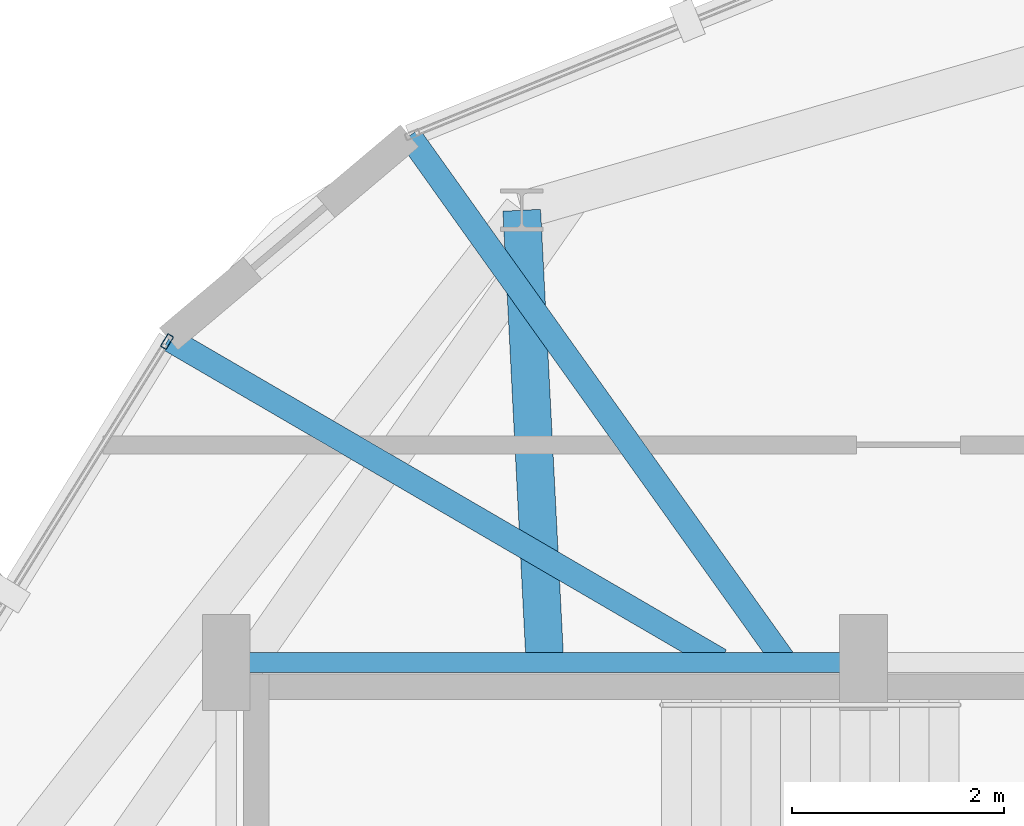
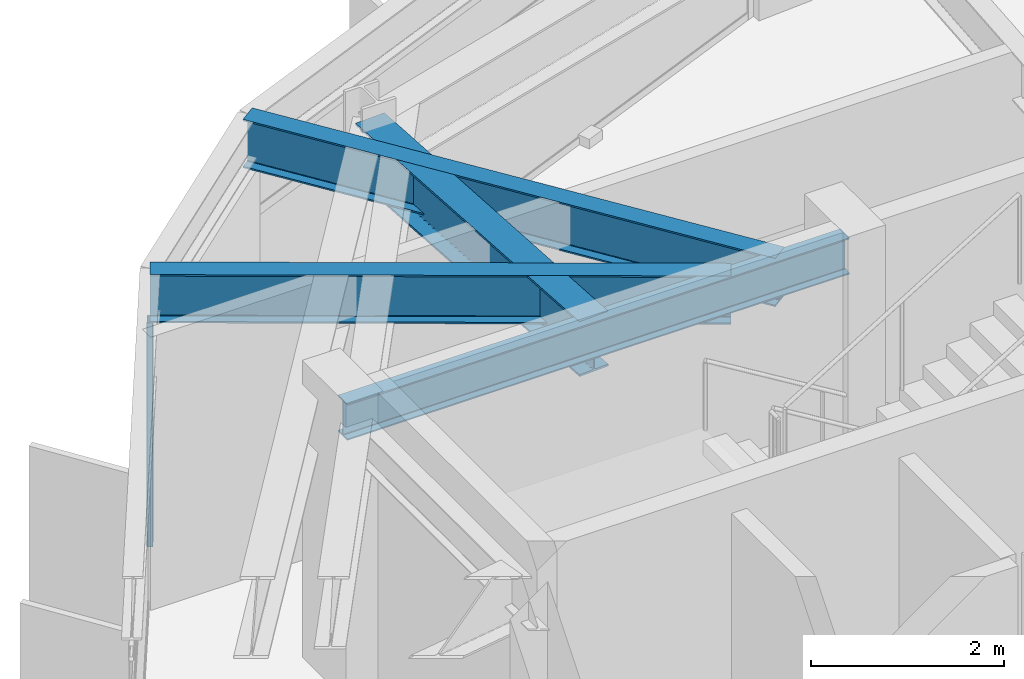
# One storey, part 10 of 26: 4 beams, 1 member, 1 element without a shape of its own.
"""IFC4 building model written with IfcOpenShell, lengths in metres."""

from ifc_helpers import new_model, si_unit, direction, frame, origin, origin_2d, place, context, subcontext, project, spatial, hollow_rectangle, i_section, extrude, material, layer, layer_set, material_profile, profile_set, type_object, element, aggregate, save


model = new_model("IFC4")

# Units and contexts
model_context = context("Model", 3, precision=1e-05, world=origin(), true_north=direction((0.0, 1.0)))
body_context = subcontext(model_context, "Body", "Model", "MODEL_VIEW")
ifc_project = project(units=[si_unit("LENGTHUNIT", "METRE"), si_unit("AREAUNIT", "SQUARE_METRE"), si_unit("VOLUMEUNIT", "CUBIC_METRE"), si_unit("PLANEANGLEUNIT", "RADIAN"), si_unit("MASSUNIT", "GRAM", prefix="KILO")], contexts=[model_context])

# Site, building, storey
site_placement = place(None, origin())
site = spatial("IfcSite", under=ifc_project, at=site_placement, CompositionType="ELEMENT")
building_placement = place(site_placement, origin())
building = spatial("IfcBuilding", under=site, at=building_placement, Name="Soratama Intermodal Tower", CompositionType="ELEMENT")
storey_placement = place(building_placement, frame((0.0, 0.0, 246.25)))
storey = spatial("IfcBuildingStorey", under=building, at=storey_placement, Name="L62", CompositionType="ELEMENT", Elevation=246.25)

# Beams
ifc_material_1 = material(Name="Structural steel ASTM A992 Grade 50", Category="steel")
ifc_material_profile_1 = material_profile(ifc_material_1, i_section(OverallWidth=0.19091796875, OverallDepth=0.4599609375, WebThickness=0.010009765625, FlangeThickness=0.01611328125, FilletRadius=0.010986328125, at=origin_2d()), Name="W18X55")
ifc_profile_set_1 = profile_set([ifc_material_profile_1], Name="Structural steel ASTM A992 Grade 50")
beam_type_1 = type_object("IfcBeamType", Name="BM-FLR-W18X55", PredefinedType="BEAM", material=ifc_profile_set_1)
beam_1_placement = place(storey_placement, frame((38.60009765625, 35.0, 3.219970703125), z_axis=(-1.0, 0.0, 0.0), x_axis=(0.0, -1.0, 0.0)))
element("IfcBeam", 1, at=beam_1_placement, inside=storey, type_object=beam_type_1, Name="BM-L62-CRING-07", PredefinedType="BEAM", context=body_context, shape_type="SweptSolid", body=[
    extrude(i_section(OverallWidth=0.19091796875, OverallDepth=0.4599609375, WebThickness=0.010009765625, FlangeThickness=0.01611328125, FilletRadius=0.010986328125, at=origin_2d()), origin(), (0.0, 0.0, 1.0), 6.0),
])
ifc_material_2 = material(Name="Structural steel ASTM A992 Grade 50", Category="steel")
ifc_material_profile_2 = material_profile(ifc_material_2, i_section(OverallWidth=0.35498046875, OverallDepth=0.695068359375, WebThickness=0.015380859375, FlangeThickness=0.02490234375, FilletRadius=0.01611328125, at=origin_2d()), Name="W27X146")
ifc_profile_set_2 = profile_set([ifc_material_profile_2], Name="Structural steel ASTM A992 Grade 50")
beam_type_2 = type_object("IfcBeamType", Name="BM-RING-W27X146", PredefinedType="BEAM", material=ifc_profile_set_2)
beam_2_placement = place(storey_placement, frame((35.60009765625, 35.0, 3.1025390625), z_axis=(-0.051122516685, 0.998692389221, 0.0), x_axis=(-0.998692389221, -0.051122516685, 0.0)))
element("IfcBeam", 2, at=beam_2_placement, inside=storey, type_object=beam_type_2, Name="BM-L62-RAD-04", PredefinedType="BEAM", context=body_context, shape_type="SweptSolid", body=[
    extrude(i_section(OverallWidth=0.35498046875, OverallDepth=0.695068359375, WebThickness=0.015380859375, FlangeThickness=0.02490234375, FilletRadius=0.01611328125, at=origin_2d()), origin(), (0.0, 0.0, 1.0), 4.2646484375),
])
ifc_material_3 = material(Name="Structural steel ASTM A992 Grade 50", Category="steel")
ifc_material_profile_3 = material_profile(ifc_material_3, i_section(OverallWidth=0.22900390625, OverallDepth=0.612060546875, WebThickness=0.011962890625, FlangeThickness=0.01953125, FilletRadius=0.012939453125, at=origin_2d()), Name="W24X84")
ifc_profile_set_3 = profile_set([ifc_material_profile_3], Name="Structural steel ASTM A992 Grade 50")
beam_type_3 = type_object("IfcBeamType", Name="BM-TIE-W24X84", PredefinedType="BEAM", material=ifc_profile_set_3)
beam_3_placement = place(storey_placement, frame((37.841064453125, 35.032958984375, 3.14404296875), z_axis=(-0.580890940977, 0.813981397018, 0.0), x_axis=(-0.813981397018, -0.580890940977, 0.0)))
element("IfcBeam", 3, at=beam_3_placement, inside=storey, type_object=beam_type_3, Name="BM-L62-TIE1-02", PredefinedType="BEAM", context=body_context, shape_type="SweptSolid", body=[
    extrude(i_section(OverallWidth=0.22900390625, OverallDepth=0.612060546875, WebThickness=0.011962890625, FlangeThickness=0.01953125, FilletRadius=0.012939453125, at=origin_2d()), origin(), (0.0, 0.0, 1.0), 6.052978515625),
])
beam_4_placement = place(storey_placement, frame((37.251953125, 35.02001953125, 3.14404296875), z_axis=(-0.864021795913, 0.503454403286, 0.0), x_axis=(-0.503454403286, -0.864021795913, 0.0)))
element("IfcBeam", 4, at=beam_4_placement, inside=storey, type_object=beam_type_3, Name="BM-L62-TIE0-03", PredefinedType="BEAM", context=body_context, shape_type="SweptSolid", body=[
    extrude(i_section(OverallWidth=0.22900390625, OverallDepth=0.612060546875, WebThickness=0.011962890625, FlangeThickness=0.01953125, FilletRadius=0.012939453125, at=origin_2d()), origin(), (0.0, 0.0, 1.0), 6.0126953125),
])

# Curtain wall, member
ifc_material_4 = material(Name="Double-glazed aluminium curtain wall", Category="aluminium")
ifc_layer = layer(ifc_material_4, 0.159912109375)
ifc_layer_set = layer_set([ifc_layer], Name="Double-glazed aluminium curtain wall")
curtain_wall_type = type_object("IfcCurtainWallType", Name="CW-SYS-5", PredefinedType="NOTDEFINED", material=ifc_layer_set)
curtain_wall_placement = place(storey_placement, origin())
curtain_wall = element("IfcCurtainWall", 5, at=curtain_wall_placement, inside=storey, type_object=curtain_wall_type, Name="L62 Faceted Curtain Wall F03", PredefinedType="NOTDEFINED")
ifc_material_5 = material(Name="Anodised aluminium AA 6063-T6", Category="aluminium")
ifc_material_profile_4 = material_profile(ifc_material_5, hollow_rectangle(XDim=0.06494140625, YDim=0.139892578125, WallThickness=0.0048828125, InnerFilletRadius=0.0048828125, OuterFilletRadius=0.010009765625, at=origin_2d()), Name="CWM140X65X5")
ifc_profile_set_4 = profile_set([ifc_material_profile_4], Name="Anodised aluminium AA 6063-T6")
member_type = type_object("IfcMemberType", Name="MT-CWM-5", PredefinedType="MULLION", material=ifc_profile_set_4)
member_placement = place(storey_placement, frame((32.041259765625, 38.02197265625, 0.0), z_axis=(0.0, 0.0, 1.0), x_axis=(0.849338641556, -0.527848341818, 0.0)))
member = element("IfcMember", 6, at=member_placement, type_object=member_type, Name="CW-5 mullion 1", PredefinedType="MULLION", context=body_context, shape_type="SweptSolid", body=[
    extrude(hollow_rectangle(XDim=0.06494140625, YDim=0.139892578125, WallThickness=0.0048828125, InnerFilletRadius=0.0048828125, OuterFilletRadius=0.010009765625, at=origin_2d()), origin(), (0.0, 0.0, 1.0), 2.8291015625),
])
aggregate(curtain_wall, [member])

save(model, "model.ifc")
